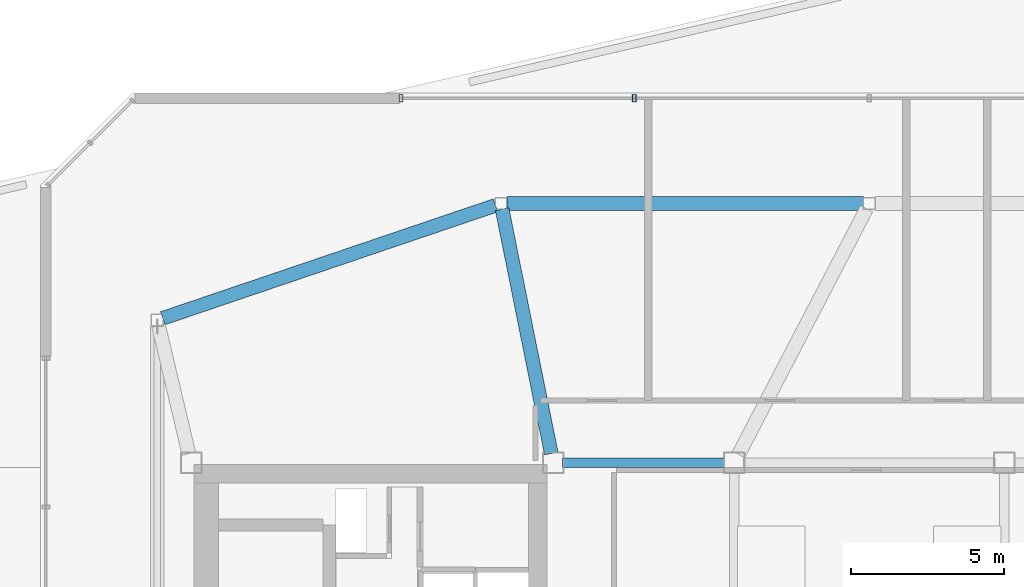
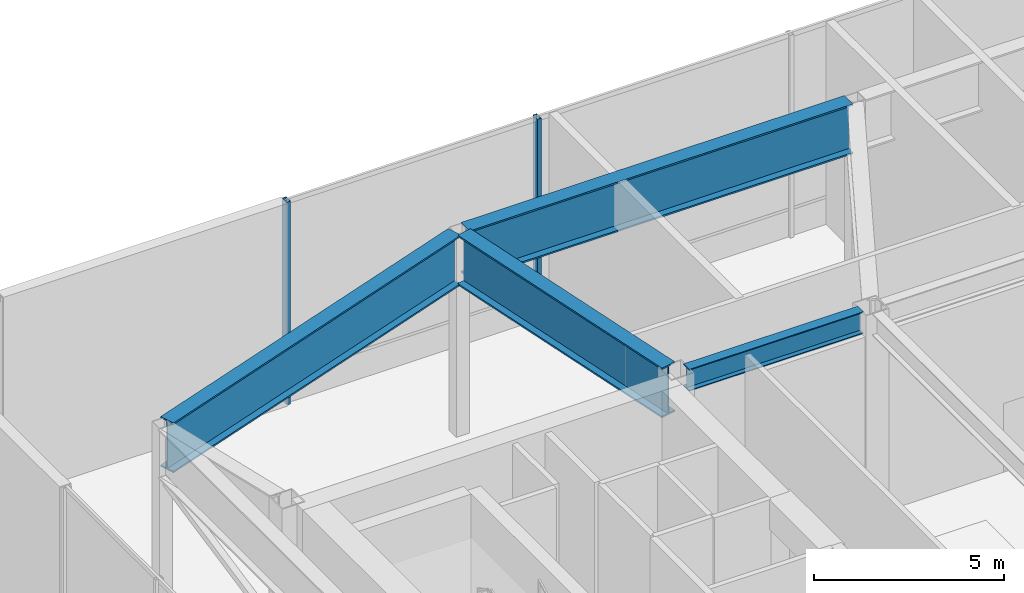
# One storey, part 13 of 25: 4 beams, 2 members, 1 element without a shape of its own.
"""IFC4 building model written with IfcOpenShell, lengths in metres."""

from ifc_helpers import new_model, si_unit, direction, frame, origin, origin_2d, place, context, subcontext, project, spatial, hollow_rectangle, i_section, extrude, material, layer, layer_set, material_profile, profile_set, type_object, element, aggregate, save


model = new_model("IFC4")

# Units and contexts
model_context = context("Model", 3, precision=1e-05, world=origin(), true_north=direction((0.0, 1.0)))
body_context = subcontext(model_context, "Body", "Model", "MODEL_VIEW")
ifc_project = project(units=[si_unit("LENGTHUNIT", "METRE"), si_unit("AREAUNIT", "SQUARE_METRE"), si_unit("VOLUMEUNIT", "CUBIC_METRE"), si_unit("PLANEANGLEUNIT", "RADIAN"), si_unit("MASSUNIT", "GRAM", prefix="KILO")], contexts=[model_context])

# Site, building, storey
site_placement = place(None, origin())
site = spatial("IfcSite", under=ifc_project, at=site_placement, CompositionType="ELEMENT")
building_placement = place(site_placement, origin())
building = spatial("IfcBuilding", under=site, at=building_placement, Name="Tavrogorsk Clinical Tower", CompositionType="ELEMENT")
storey_placement = place(building_placement, frame((0.0, 0.0, 333.0)))
storey = spatial("IfcBuildingStorey", under=building, at=storey_placement, Name="L78", CompositionType="ELEMENT", Elevation=333.0)

# Curtain wall, members
ifc_material_1 = material(Name="Anodised aluminium and triple IGU glazing", Category="aluminium")
ifc_layer = layer(ifc_material_1, 0.179931640625)
ifc_layer_set = layer_set([ifc_layer], Name="Anodised aluminium and triple IGU glazing")
curtain_wall_type = type_object("IfcCurtainWallType", Name="CW6_TmdLantern", PredefinedType="NOTDEFINED", material=ifc_layer_set)
curtain_wall_placement = place(storey_placement, origin())
curtain_wall = element("IfcCurtainWall", 1, at=curtain_wall_placement, inside=storey, type_object=curtain_wall_type, Name="L78 Curtain Wall CW-L78-TMD-4", PredefinedType="NOTDEFINED")
ifc_material_2 = material(Name="Anodised aluminium alloy AW-6060", Category="aluminium")
ifc_material_profile_1 = material_profile(ifc_material_2, hollow_rectangle(XDim=0.1201171875, YDim=0.239990234375, WallThickness=0.008056640625, at=origin_2d()), Name="RHS-240x120x8")
ifc_profile_set_1 = profile_set([ifc_material_profile_1], Name="Anodised aluminium alloy AW-6060")
member_type = type_object("IfcMemberType", Name="CwMullion_240x120", PredefinedType="MULLION", material=ifc_profile_set_1)
member_1_placement = place(storey_placement, frame((-15.258544921875, 18.22998046875, 0.0), z_axis=(0.0, 0.0, 1.0), x_axis=(1.0, 0.0, 0.0)))
member_1 = element("IfcMember", 2, at=member_1_placement, type_object=member_type, Name="CW-L78-TMD-4 Mullion 1", PredefinedType="MULLION", context=body_context, shape_type="SweptSolid", body=[
    extrude(hollow_rectangle(XDim=0.1201171875, YDim=0.239990234375, WallThickness=0.008056640625, at=origin_2d()), origin(), (0.0, 0.0, 1.0), 6.5),
])
member_2_placement = place(storey_placement, frame((-7.6591796875, 18.22998046875, 0.0), z_axis=(0.0, 0.0, 1.0), x_axis=(1.0, 0.0, 0.0)))
member_2 = element("IfcMember", 3, at=member_2_placement, type_object=member_type, Name="CW-L78-TMD-4 Mullion 2", PredefinedType="MULLION", context=body_context, shape_type="SweptSolid", body=[
    extrude(hollow_rectangle(XDim=0.1201171875, YDim=0.239990234375, WallThickness=0.008056640625, at=origin_2d()), origin(), (0.0, 0.0, 1.0), 6.5),
])
aggregate(curtain_wall, [member_1, member_2])

# Beams
ifc_material_3 = material(Name="Structural steel S390", Category="steel")
ifc_material_profile_2 = material_profile(ifc_material_3, i_section(OverallWidth=0.300048828125, OverallDepth=0.699951171875, WebThickness=0.01708984375, FlangeThickness=0.028076171875, at=origin_2d()), Name="B-700x300x17x28")
ifc_profile_set_2 = profile_set([ifc_material_profile_2], Name="Structural steel S390")
beam_type_1 = type_object("IfcBeamType", Name="PrimaryGirder_B700", PredefinedType="USERDEFINED", material=ifc_profile_set_2)
beam_1_placement = place(storey_placement, frame((-9.989990234375, 6.35009765625, 6.14990234375), z_axis=(1.0, 0.0, 0.0), x_axis=(0.0, 1.0, 0.0)))
element("IfcBeam", 4, at=beam_1_placement, inside=storey, type_object=beam_type_1, Name="L78 Primary Spine Girder MG-02", ObjectType="GIRDER", PredefinedType="USERDEFINED", context=body_context, shape_type="SweptSolid", body=[
    extrude(i_section(OverallWidth=0.300048828125, OverallDepth=0.699951171875, WebThickness=0.01708984375, FlangeThickness=0.028076171875, at=origin_2d()), origin(), (0.0, 0.0, 1.0), 5.280029296875),
])
ifc_material_4 = material(Name="Structural steel S440", Category="steel")
ifc_material_profile_3 = material_profile(ifc_material_4, i_section(OverallWidth=0.449951171875, OverallDepth=1.60009765625, WebThickness=0.031982421875, FlangeThickness=0.050048828125, at=origin_2d()), Name="DK-1600x450x32x50")
ifc_profile_set_3 = profile_set([ifc_material_profile_3], Name="Structural steel S440")
beam_type_2 = type_object("IfcBeamType", Name="TransferGirder_DK1600", PredefinedType="USERDEFINED", material=ifc_profile_set_3)
beam_2_placement = place(storey_placement, frame((-0.18994140625, 14.800048828125, 5.699951171875), z_axis=(-1.0, 0.0, 0.0), x_axis=(0.0, -1.0, 0.0)))
element("IfcBeam", 5, at=beam_2_placement, inside=storey, type_object=beam_type_2, Name="L78 Crown Spandrel Beam 07", ObjectType="GIRDER", PredefinedType="USERDEFINED", context=body_context, shape_type="SweptSolid", body=[
    extrude(i_section(OverallWidth=0.449951171875, OverallDepth=1.60009765625, WebThickness=0.031982421875, FlangeThickness=0.050048828125, at=origin_2d()), origin(), (0.0, 0.0, 1.0), 11.6201171875),
])
beam_3_placement = place(storey_placement, frame((-12.179931640625, 14.739013671875, 5.699951171875), z_axis=(-0.946976266831, -0.321303517034, 0.0), x_axis=(0.321303517034, -0.946976266831, 0.0)))
element("IfcBeam", 6, at=beam_3_placement, inside=storey, type_object=beam_type_2, Name="L78 Crown Spandrel Beam 08", ObjectType="GIRDER", PredefinedType="USERDEFINED", context=body_context, shape_type="SweptSolid", body=[
    extrude(i_section(OverallWidth=0.449951171875, OverallDepth=1.60009765625, WebThickness=0.031982421875, FlangeThickness=0.050048828125, at=origin_2d()), origin(), (0.0, 0.0, 1.0), 11.447021484375),
])
beam_4_placement = place(storey_placement, frame((-10.361083984375, 6.65380859375, 5.699951171875), z_axis=(-0.197249355273, 0.980353350504, 0.0), x_axis=(-0.980353350504, -0.197249355273, 0.0)))
element("IfcBeam", 7, at=beam_4_placement, inside=storey, type_object=beam_type_2, Name="L78 Crown Radial Beam 08", ObjectType="GIRDER", PredefinedType="USERDEFINED", context=body_context, shape_type="SweptSolid", body=[
    extrude(i_section(OverallWidth=0.449951171875, OverallDepth=1.60009765625, WebThickness=0.031982421875, FlangeThickness=0.050048828125, at=origin_2d()), origin(), (0.0, 0.0, 1.0), 8.119384765625),
])

save(model, "model.ifc")
